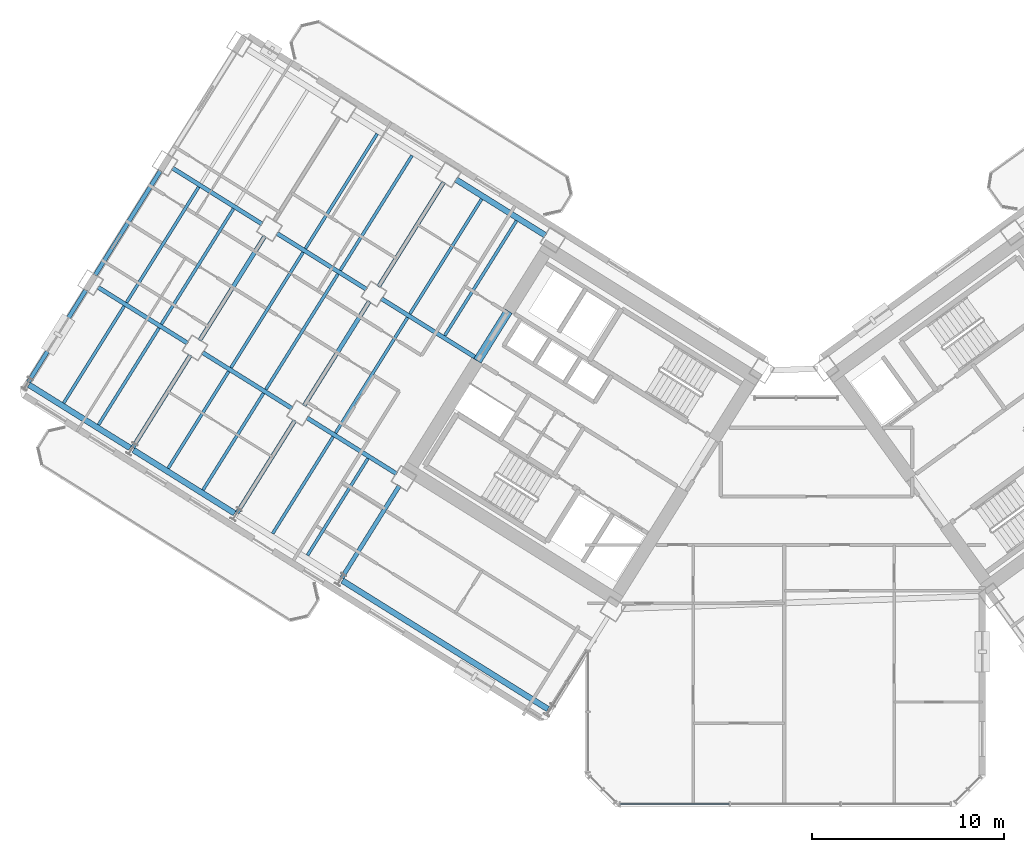
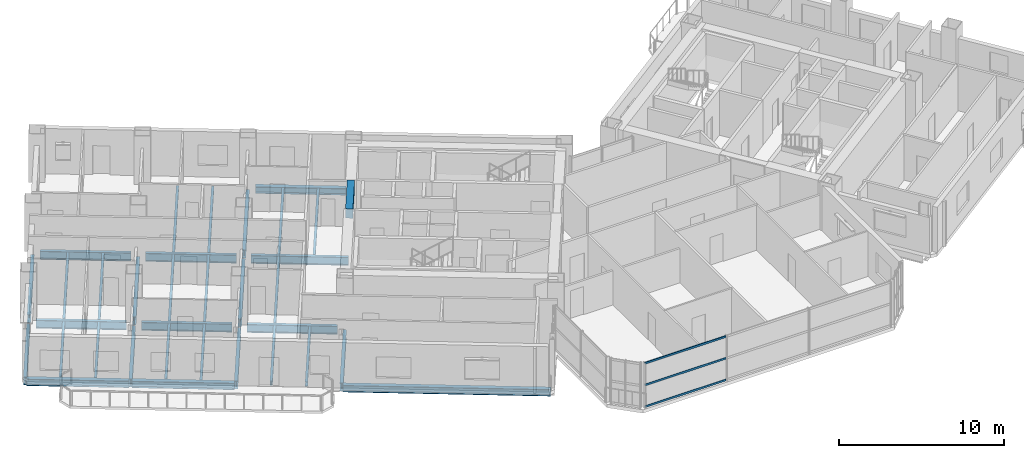
# One storey, part 6 of 25: 34 beams, 3 members, 1 element without a shape of its own.
"""IFC4 building model written with IfcOpenShell, lengths in metres."""

from ifc_helpers import new_model, si_unit, direction, frame, origin, origin_2d, place, context, subcontext, project, spatial, rectangle, hollow_rectangle, i_section, extrude, source, transform, mapped, material, material_profile, profile_set, type_object, element, aggregate, save


model = new_model("IFC4")

# Units and contexts
model_context = context("Model", 3, precision=1e-05, world=origin(), true_north=direction((0.0, 1.0)))
body_context = subcontext(model_context, "Body", "Model", "MODEL_VIEW")
ifc_project = project(units=[si_unit("LENGTHUNIT", "METRE"), si_unit("AREAUNIT", "SQUARE_METRE"), si_unit("VOLUMEUNIT", "CUBIC_METRE"), si_unit("PLANEANGLEUNIT", "RADIAN"), si_unit("MASSUNIT", "GRAM", prefix="KILO")], contexts=[model_context])

# Site, building, storey
site_placement = place(None, origin())
site = spatial("IfcSite", under=ifc_project, at=site_placement, CompositionType="ELEMENT")
building_placement = place(site_placement, origin())
building = spatial("IfcBuilding", under=site, at=building_placement, Name="Tlacorven Tower", CompositionType="ELEMENT")
storey_placement = place(building_placement, frame((0.0, 0.0, 52.800048828125)))
storey = spatial("IfcBuildingStorey", under=building, at=storey_placement, Name="L13", CompositionType="ELEMENT", Elevation=52.800048828125)

# Beams
ifc_material_1 = material(Name="Concrete C60/75", Category="concrete")
ifc_material_profile_1 = material_profile(ifc_material_1, rectangle(XDim=0.449951171875, YDim=0.699951171875, at=origin_2d()), Name="RC 450X700")
ifc_profile_set_1 = profile_set([ifc_material_profile_1], Name="Concrete C60/75")
beam_type_1 = type_object("IfcBeamType", Name="BM-LNT-700", PredefinedType="LINTEL", material=ifc_profile_set_1)
shared_shape_1 = source(origin(), body_context, "Body", "SweptSolid", [
    extrude(rectangle(XDim=0.449951171875, YDim=0.699951171875, at=origin_2d()), origin(), (0.0, 0.0, 1.0), 3.0498046875),
])
beam_1_placement = place(storey_placement, frame((27.622802734375, 27.562255859375, 3.0), z_axis=(-0.529926983584, -0.848043272522, 0.0), x_axis=(0.848043272522, -0.529926983584, 0.0)))
element("IfcBeam", 1, at=beam_1_placement, inside=storey, type_object=beam_type_1, Name="L13 W core coupling lintel beam E2", PredefinedType="LINTEL", context=body_context, shape_type="MappedRepresentation", body=[
    mapped(shared_shape_1, transform((0.0, 0.0, 0.0), scale=1.0)),
])
ifc_material_2 = material(Name="Steel S355J2", Category="steel")
ifc_material_profile_2 = material_profile(ifc_material_2, i_section(OverallWidth=0.300048828125, OverallDepth=0.489990234375, WebThickness=0.011962890625, FlangeThickness=0.02294921875, at=origin_2d()), Name="HEA 500")
ifc_profile_set_2 = profile_set([ifc_material_profile_2], Name="Steel S355J2")
beam_type_2 = type_object("IfcBeamType", Name="BM-SPN-500", PredefinedType="SPANDREL", material=ifc_profile_set_2)
shared_shape_2 = source(origin(), body_context, "Body", "SweptSolid", [
    extrude(i_section(OverallWidth=0.300048828125, OverallDepth=0.489990234375, WebThickness=0.011962890625, FlangeThickness=0.02294921875, at=origin_2d()), origin(), (0.0, 0.0, 1.0), 5.5),
])
beam_2_placement = place(storey_placement, frame((29.54638671875, 31.48974609375, -0.4951171875), z_axis=(-0.848050668838, 0.52991514706, 0.0), x_axis=(-0.52991514706, -0.848050668838, 0.0)))
element("IfcBeam", 2, at=beam_2_placement, inside=storey, type_object=beam_type_2, Name="L13 beam BM-L13-WL1-3", PredefinedType="SPANDREL", context=body_context, shape_type="MappedRepresentation", body=[
    mapped(shared_shape_2, transform((0.0, 0.0, 0.0), scale=1.0)),
])
ifc_material_profile_3 = material_profile(ifc_material_2, i_section(OverallWidth=0.219970703125, OverallDepth=0.60009765625, WebThickness=0.011962890625, FlangeThickness=0.01904296875, at=origin_2d()), Name="IPE 600")
ifc_profile_set_3 = profile_set([ifc_material_profile_3], Name="Steel S355J2")
beam_type_3 = type_object("IfcBeamType", Name="BM-TWR-600", PredefinedType="BEAM", material=ifc_profile_set_3)
shared_shape_3 = source(origin(), body_context, "Body", "SweptSolid", [
    extrude(i_section(OverallWidth=0.219970703125, OverallDepth=0.60009765625, WebThickness=0.011962890625, FlangeThickness=0.01904296875, at=origin_2d()), origin(), (0.0, 0.0, 1.0), 5.909912109375),
])
beam_3_placement = place(storey_placement, frame((26.025634765625, 25.081787109375, -0.550048828125), z_axis=(-0.848047036595, 0.529920959883, 0.0), x_axis=(-0.529920959883, -0.848047036595, 0.0)))
element("IfcBeam", 3, at=beam_3_placement, inside=storey, type_object=beam_type_3, Name="L13 beam BM-L13-WL2-3", PredefinedType="BEAM", context=body_context, shape_type="MappedRepresentation", body=[
    mapped(shared_shape_3, transform((0.0, 0.0, 0.0), scale=1.0)),
])
shared_shape_4 = source(origin(), body_context, "Body", "SweptSolid", [
    extrude(i_section(OverallWidth=0.219970703125, OverallDepth=0.60009765625, WebThickness=0.011962890625, FlangeThickness=0.01904296875, at=origin_2d()), origin(), (0.0, 0.0, 1.0), 5.5),
])
for number, where, z_axis, x_axis, name in (
    (4, (20.25048828125, 28.690673828125, -0.550048828125), (-0.848050668838, 0.52991514706, 0.0), (-0.52991514706, -0.848050668838, 0.0), "L13 beam BM-L13-WL2-4"),
    (5, (14.822998046875, 32.08203125, -0.550048828125), (-0.848050668838, 0.52991514706, 0.0), (-0.52991514706, -0.848050668838, 0.0), "L13 beam BM-L13-WL2-5"),
    (6, (21.8095703125, 19.1083984375, -0.550048828125), (-0.848050668838, 0.52991514706, 0.0), (-0.52991514706, -0.848050668838, 0.0), "L13 beam BM-L13-WL3-3"),
    (7, (16.382080078125, 22.499755859375, -0.550048828125), (-0.848050668838, 0.52991514706, 0.0), (-0.52991514706, -0.848050668838, 0.0), "L13 beam BM-L13-WL3-4"),
    (8, (10.95458984375, 25.891357421875, -0.550048828125), (-0.848050668838, 0.52991514706, 0.0), (-0.52991514706, -0.848050668838, 0.0), "L13 beam BM-L13-WL3-5"),
):
    element("IfcBeam", number, at=place(storey_placement, frame(where, z_axis=z_axis, x_axis=x_axis)), inside=storey, type_object=beam_type_3, Name=name, PredefinedType="BEAM", context=body_context, shape_type="MappedRepresentation", body=[
        mapped(shared_shape_4, transform((0.0, 0.0, 0.0), scale=1.0)),
    ])
shared_shape_5 = source(origin(), body_context, "Body", "SweptSolid", [
    extrude(i_section(OverallWidth=0.300048828125, OverallDepth=0.489990234375, WebThickness=0.011962890625, FlangeThickness=0.02294921875, at=origin_2d()), origin(), (0.0, 0.0, 1.0), 12.599853515625),
])
beam_4_placement = place(storey_placement, frame((29.67578125, 6.882080078125, -0.4951171875), z_axis=(-0.848045108756, 0.529924045043, 0.0), x_axis=(-0.529924045043, -0.848045108756, 0.0)))
element("IfcBeam", 9, at=beam_4_placement, inside=storey, type_object=beam_type_2, Name="L13 beam BM-L13-WL4-1", PredefinedType="SPANDREL", context=body_context, shape_type="MappedRepresentation", body=[
    mapped(shared_shape_5, transform((0.0, 0.0, 0.0), scale=1.0)),
])
shared_shape_6 = source(origin(), body_context, "Body", "SweptSolid", [
    extrude(i_section(OverallWidth=0.300048828125, OverallDepth=0.489990234375, WebThickness=0.011962890625, FlangeThickness=0.02294921875, at=origin_2d()), origin(), (0.0, 0.0, 1.0), 6.199951171875),
])
for number, where, z_axis, x_axis, name in (
    (10, (13.393310546875, 17.056396484375, -0.4951171875), (-0.848033697614, 0.529942306022, 0.0), (-0.529942306022, -0.848033697614, 0.0), "L13 beam BM-L13-WL4-4"),
    (11, (7.9658203125, 20.447998046875, -0.4951171875), (-0.848051394107, 0.529913986372, 0.0), (-0.529913986372, -0.848051394107, 0.0), "L13 beam BM-L13-WL4-5"),
):
    element("IfcBeam", number, at=place(storey_placement, frame(where, z_axis=z_axis, x_axis=x_axis)), inside=storey, type_object=beam_type_2, Name=name, PredefinedType="SPANDREL", context=body_context, shape_type="MappedRepresentation", body=[
        mapped(shared_shape_6, transform((0.0, 0.0, 0.0), scale=1.0)),
    ])
shared_shape_7 = source(origin(), body_context, "Body", "SweptSolid", [
    extrude(i_section(OverallWidth=0.219970703125, OverallDepth=0.60009765625, WebThickness=0.011962890625, FlangeThickness=0.01904296875, at=origin_2d()), origin(), (0.0, 0.0, 1.0), 5.650146484375),
])
for number, where, z_axis, x_axis, name in (
    (12, (21.95263671875, 18.48828125, -0.550048828125), (-0.529929025184, -0.848041996759, 0.0), (0.848041996759, -0.529929025184, 0.0), "L13 beam BM-L13-WT3-2"),
    (13, (16.525146484375, 21.879638671875, -0.550048828125), (-0.529929025184, -0.848041996759, 0.0), (0.848041996759, -0.529929025184, 0.0), "L13 beam BM-L13-WT4-3"),
    (14, (11.09765625, 25.271240234375, -0.550048828125), (-0.529929025184, -0.848041996759, 0.0), (0.848041996759, -0.529929025184, 0.0), "L13 beam BM-L13-WT5-3"),
    (15, (5.670166015625, 28.66259765625, -0.550048828125), (-0.529929025184, -0.848041996759, 0.0), (0.848041996759, -0.529929025184, 0.0), "L13 beam BM-L13-WT6-3"),
):
    element("IfcBeam", number, at=place(storey_placement, frame(where, z_axis=z_axis, x_axis=x_axis)), inside=storey, type_object=beam_type_3, Name=name, PredefinedType="BEAM", context=body_context, shape_type="MappedRepresentation", body=[
        mapped(shared_shape_7, transform((0.0, 0.0, 0.0), scale=1.0)),
    ])
shared_shape_8 = source(origin(), body_context, "Body", "SweptSolid", [
    extrude(i_section(OverallWidth=0.219970703125, OverallDepth=0.60009765625, WebThickness=0.011962890625, FlangeThickness=0.01904296875, at=origin_2d()), origin(), (0.0, 0.0, 1.0), 6.39990234375),
])
for number, where, z_axis, x_axis, name in (
    (16, (24.261962890625, 34.26123046875, -0.550048828125), (-0.529906354247, -0.848056163074, 0.0), (0.848056163074, -0.529906354247, 0.0), "L13 beam BM-L13-WT4-1"),
    (17, (20.3935546875, 28.070556640625, -0.550048828125), (-0.529906354247, -0.848056163074, 0.0), (0.848056163074, -0.529906354247, 0.0), "L13 beam BM-L13-WT4-2"),
):
    element("IfcBeam", number, at=place(storey_placement, frame(where, z_axis=z_axis, x_axis=x_axis)), inside=storey, type_object=beam_type_3, Name=name, PredefinedType="BEAM", context=body_context, shape_type="MappedRepresentation", body=[
        mapped(shared_shape_8, transform((0.0, 0.0, 0.0), scale=1.0)),
    ])
shared_shape_9 = source(origin(), body_context, "Body", "SweptSolid", [
    extrude(i_section(OverallWidth=0.219970703125, OverallDepth=0.60009765625, WebThickness=0.011962890625, FlangeThickness=0.01904296875, at=origin_2d()), origin(), (0.0, 0.0, 1.0), 6.400146484375),
])
for number, where, z_axis, x_axis, name in (
    (18, (14.966064453125, 31.4619140625, -0.550048828125), (-0.529933789039, -0.848039019877, 0.0), (0.848039019877, -0.529933789039, 0.0), "L13 beam BM-L13-WT5-2"),
    (19, (9.53857421875, 34.853515625, -0.550048828125), (-0.529933789039, -0.848039019877, 0.0), (0.848039019877, -0.529933789039, 0.0), "L13 beam BM-L13-WT6-2"),
):
    element("IfcBeam", number, at=place(storey_placement, frame(where, z_axis=z_axis, x_axis=x_axis)), inside=storey, type_object=beam_type_3, Name=name, PredefinedType="BEAM", context=body_context, shape_type="MappedRepresentation", body=[
        mapped(shared_shape_9, transform((0.0, 0.0, 0.0), scale=1.0)),
    ])
ifc_material_profile_4 = material_profile(ifc_material_2, i_section(OverallWidth=0.159912109375, OverallDepth=0.330078125, WebThickness=0.007568359375, FlangeThickness=0.011474609375, at=origin_2d()), Name="IPE 330")
ifc_profile_set_4 = profile_set([ifc_material_profile_4], Name="Steel S355J2")
beam_type_4 = type_object("IfcBeamType", Name="BM-JST-330", PredefinedType="JOIST", material=ifc_profile_set_4)
shared_shape_10 = source(origin(), body_context, "Body", "SweptSolid", [
    extrude(i_section(OverallWidth=0.159912109375, OverallDepth=0.330078125, WebThickness=0.007568359375, FlangeThickness=0.011474609375, at=origin_2d()), origin(), (0.0, 0.0, 1.0), 7.030029296875),
])
for number, where, z_axis, x_axis, name in (
    (20, (28.03662109375, 32.25048828125, -0.4150390625), (-0.529911532383, -0.848052927504, 0.0), (0.848052927504, -0.529911532383, 0.0), "L13 beam BM-L13-WJ3-1-1"),
    (21, (26.2275390625, 33.380859375, -0.4150390625), (-0.529927139185, -0.84804317529, 0.0), (0.84804317529, -0.529927139185, 0.0), "L13 beam BM-L13-WJ3-1-2"),
    (22, (22.609130859375, 35.641845703125, -0.4150390625), (-0.529927139185, -0.84804317529, 0.0), (0.84804317529, -0.529927139185, 0.0), "L13 beam BM-L13-WJ4-1-1"),
    (23, (20.800048828125, 36.7724609375, -0.4150390625), (-0.529911532383, -0.848052927504, 0.0), (0.848052927504, -0.529911532383, 0.0), "L13 beam BM-L13-WJ4-1-2"),
):
    element("IfcBeam", number, at=place(storey_placement, frame(where, z_axis=z_axis, x_axis=x_axis)), inside=storey, type_object=beam_type_4, Name=name, PredefinedType="JOIST", context=body_context, shape_type="MappedRepresentation", body=[
        mapped(shared_shape_10, transform((0.0, 0.0, 0.0), scale=1.0)),
    ])
shared_shape_11 = source(origin(), body_context, "Body", "SweptSolid", [
    extrude(i_section(OverallWidth=0.159912109375, OverallDepth=0.330078125, WebThickness=0.007568359375, FlangeThickness=0.011474609375, at=origin_2d()), origin(), (0.0, 0.0, 1.0), 5.93017578125),
])
for number, where, z_axis, x_axis, name in (
    (24, (20.321044921875, 19.90283203125, -0.4150390625), (-0.529899018132, -0.848060746989, 0.0), (0.848060746989, -0.529899018132, 0.0), "L13 beam BM-L13-WJ3-3-1"),
    (25, (18.51171875, 21.033447265625, -0.4150390625), (-0.529899018132, -0.848060746989, 0.0), (0.848060746989, -0.529899018132, 0.0), "L13 beam BM-L13-WJ3-3-2"),
    (26, (9.466064453125, 26.685791015625, -0.4150390625), (-0.529928626913, -0.848042245633, 0.0), (0.848042245633, -0.529928626913, 0.0), "L13 beam BM-L13-WJ5-3-1"),
    (27, (7.65673828125, 27.81640625, -0.4150390625), (-0.529899018132, -0.848060746989, 0.0), (0.848060746989, -0.529899018132, 0.0), "L13 beam BM-L13-WJ5-3-2"),
):
    element("IfcBeam", number, at=place(storey_placement, frame(where, z_axis=z_axis, x_axis=x_axis)), inside=storey, type_object=beam_type_4, Name=name, PredefinedType="JOIST", context=body_context, shape_type="MappedRepresentation", body=[
        mapped(shared_shape_11, transform((0.0, 0.0, 0.0), scale=1.0)),
    ])
shared_shape_12 = source(origin(), body_context, "Body", "SweptSolid", [
    extrude(i_section(OverallWidth=0.159912109375, OverallDepth=0.330078125, WebThickness=0.007568359375, FlangeThickness=0.011474609375, at=origin_2d()), origin(), (0.0, 0.0, 1.0), 7.070068359375),
])
for number, where, z_axis, x_axis, name in (
    (28, (22.380126953125, 27.22412109375, -0.4150390625), (-0.529890296319, -0.84806619663, 0.0), (0.84806619663, -0.529890296319, 0.0), "L13 beam BM-L13-WJ3-2-2"),
    (29, (18.761962890625, 29.485107421875, -0.4150390625), (-0.529915131461, -0.848050678585, 0.0), (0.848050678585, -0.529915131461, 0.0), "L13 beam BM-L13-WJ4-2-1"),
    (30, (13.33447265625, 32.87646484375, -0.4150390625), (-0.529930649952, -0.848040981463, 0.0), (0.848040981463, -0.529930649952, 0.0), "L13 beam BM-L13-WJ5-2-1"),
    (31, (11.525146484375, 34.007080078125, -0.4150390625), (-0.529930649952, -0.848040981463, 0.0), (0.848040981463, -0.529930649952, 0.0), "L13 beam BM-L13-WJ5-2-2"),
):
    element("IfcBeam", number, at=place(storey_placement, frame(where, z_axis=z_axis, x_axis=x_axis)), inside=storey, type_object=beam_type_4, Name=name, PredefinedType="JOIST", context=body_context, shape_type="MappedRepresentation", body=[
        mapped(shared_shape_12, transform((0.0, 0.0, 0.0), scale=1.0)),
    ])
shared_shape_13 = source(origin(), body_context, "Body", "SweptSolid", [
    extrude(i_section(OverallWidth=0.159912109375, OverallDepth=0.330078125, WebThickness=0.007568359375, FlangeThickness=0.011474609375, at=origin_2d()), origin(), (0.0, 0.0, 1.0), 5.929931640625),
])
for number, where, z_axis, x_axis, name in (
    (32, (14.8935546875, 23.294189453125, -0.4150390625), (-0.529917519894, -0.848049186138, 0.0), (0.848049186138, -0.529917519894, 0.0), "L13 beam BM-L13-WJ4-3-1"),
    (33, (13.084228515625, 24.4248046875, -0.4150390625), (-0.529917519894, -0.848049186138, 0.0), (0.848049186138, -0.529917519894, 0.0), "L13 beam BM-L13-WJ4-3-2"),
):
    element("IfcBeam", number, at=place(storey_placement, frame(where, z_axis=z_axis, x_axis=x_axis)), inside=storey, type_object=beam_type_4, Name=name, PredefinedType="JOIST", context=body_context, shape_type="MappedRepresentation", body=[
        mapped(shared_shape_13, transform((0.0, 0.0, 0.0), scale=1.0)),
    ])
shared_shape_14 = source(origin(), body_context, "Body", "SweptSolid", [
    extrude(i_section(OverallWidth=0.159912109375, OverallDepth=0.330078125, WebThickness=0.007568359375, FlangeThickness=0.011474609375, at=origin_2d()), origin(), (0.0, 0.0, 1.0), 7.06982421875),
])
beam_5_placement = place(storey_placement, frame((16.95263671875, 30.615478515625, -0.4150390625), z_axis=(-0.52990581465, -0.84805650024, 0.0), x_axis=(0.84805650024, -0.52990581465, 0.0)))
element("IfcBeam", 34, at=beam_5_placement, inside=storey, type_object=beam_type_4, Name="L13 beam BM-L13-WJ4-2-2", PredefinedType="JOIST", context=body_context, shape_type="MappedRepresentation", body=[
    mapped(shared_shape_14, transform((0.0, 0.0, 0.0), scale=1.0)),
])

# Curtain wall, members
ifc_material_3 = material(Name="Dark solar low-E double glazing in aluminium frame", Category="aluminium")
curtain_wall_type = type_object("IfcCurtainWallType", Name="CW-TWR-LOW", PredefinedType="USERDEFINED", material=ifc_material_3)
curtain_wall_placement = place(storey_placement, origin())
curtain_wall = element("IfcCurtainWall", 35, at=curtain_wall_placement, inside=storey, type_object=curtain_wall_type, Name="L13 CW-TWR-LOW Curtain Wall 70", ObjectType="UNITISED CURTAIN WALL", PredefinedType="USERDEFINED")
ifc_material_4 = material(Name="Aluminium 6063-T6 anodised", Category="aluminium")
ifc_material_profile_5 = material_profile(ifc_material_4, hollow_rectangle(XDim=0.06005859375, YDim=0.139892578125, WallThickness=0.00390625, at=origin_2d()), Name="ALU TRANSOM 60X140")
ifc_profile_set_5 = profile_set([ifc_material_profile_5], Name="Aluminium 6063-T6 anodised")
member_type = type_object("IfcMemberType", Name="CWT-02", PredefinedType="USERDEFINED", material=ifc_profile_set_5)
shared_shape_15 = source(origin(), body_context, "Body", "SweptSolid", [
    extrude(hollow_rectangle(XDim=0.06005859375, YDim=0.139892578125, WallThickness=0.00390625, at=origin_2d()), origin(), (0.0, 0.0, 1.0), 5.6748046875),
])
member_1_placement = place(storey_placement, frame((39.09912109375, 1.9599609375, 0.070068359375), z_axis=(-1.0, 0.0, 0.0), x_axis=(0.0, -1.0, 0.0)))
member_1 = element("IfcMember", 36, at=member_1_placement, type_object=member_type, Name="CW-L13-070 Transom 7", ObjectType="TRANSOM", PredefinedType="USERDEFINED", context=body_context, shape_type="MappedRepresentation", body=[
    mapped(shared_shape_15, transform((0.0, 0.0, 0.0), scale=1.0)),
])
member_2_placement = place(storey_placement, frame((39.09912109375, 1.9599609375, 1.675048828125), z_axis=(-1.0, 0.0, 0.0), x_axis=(0.0, -1.0, 0.0)))
member_2 = element("IfcMember", 37, at=member_2_placement, type_object=member_type, Name="CW-L13-070 Transom 8", ObjectType="TRANSOM", PredefinedType="USERDEFINED", context=body_context, shape_type="MappedRepresentation", body=[
    mapped(shared_shape_15, transform((0.0, 0.0, 0.0), scale=1.0)),
])
member_3_placement = place(storey_placement, frame((39.09912109375, 1.9599609375, 3.280029296875), z_axis=(-1.0, 0.0, 0.0), x_axis=(0.0, -1.0, 0.0)))
member_3 = element("IfcMember", 38, at=member_3_placement, type_object=member_type, Name="CW-L13-070 Transom 9", ObjectType="TRANSOM", PredefinedType="USERDEFINED", context=body_context, shape_type="MappedRepresentation", body=[
    mapped(shared_shape_15, transform((0.0, 0.0, 0.0), scale=1.0)),
])
aggregate(curtain_wall, [member_1, member_2, member_3])

save(model, "model.ifc")
